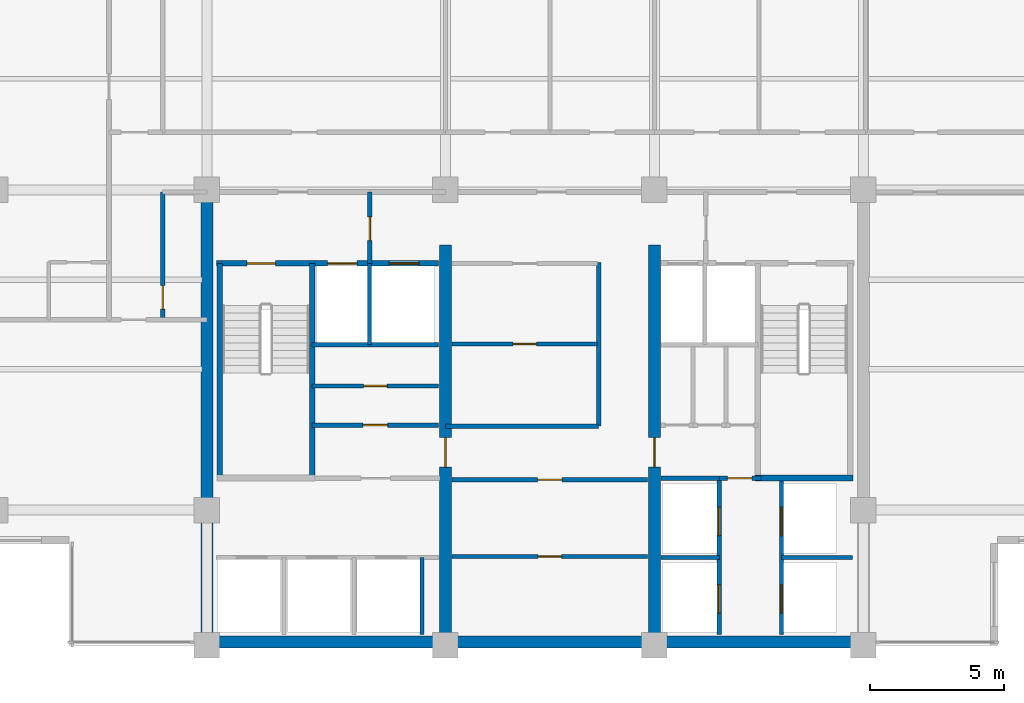
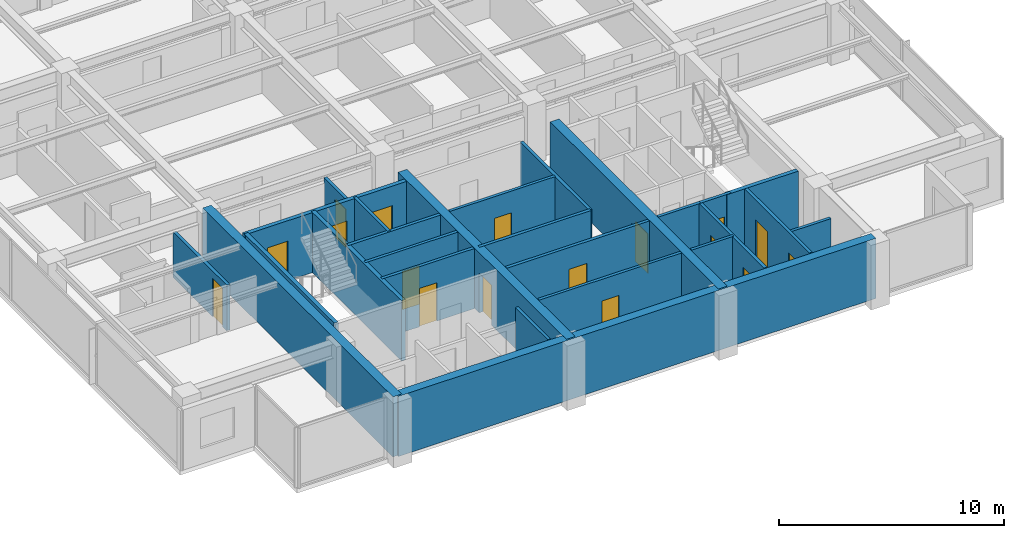
# One storey, part 7 of 14: 26 walls, 17 doors, 17 openings.
"""IFC4 building model written with IfcOpenShell, lengths in metres."""

import ifcopenshell
import ifcopenshell.guid

model = None  # the IFC model being written
_history = None  # IfcOwnerHistory: only IFC2X3 demands one
_inside = {}  # id of a spatial element -> (the spatial element, [elements in it])
_under = {}  # id of a project, library or spatial element -> (it, [spatial elements below it])
_declared = {}  # id of a project -> (the project, [libraries it declares])
_typed = {}  # id of a type object -> (the type object, [elements of that type])
_made_of = {}  # id of a material, layer set ... -> (it, [elements and type objects made of it])


def new_model(schema):
    """Start an empty IFC model of exactly this schema.

    Asked for "IFC4X3", IfcOpenShell would pick the latest addendum, in which some entities
    have other attributes; the version numbers below select the first issue.
    IFC2X3 requires an IfcOwnerHistory on every rooted entity: one is made here for all.
    """
    global model, _history
    if schema == "IFC4X3":
        model = ifcopenshell.file(schema_version=(4, 3, 0, 0))
    else:
        model = ifcopenshell.file(schema=schema)
    _inside.clear()
    _under.clear()
    _declared.clear()
    _typed.clear()
    _made_of.clear()
    _history = None
    if model.schema == "IFC2X3":
        org = make("IfcOrganization", Name="unknown")
        user = make(
            "IfcPersonAndOrganization",
            ThePerson=make("IfcPerson", FamilyName="unknown"),
            TheOrganization=org,
        )
        app = make(
            "IfcApplication",
            ApplicationDeveloper=org,
            Version="unknown",
            ApplicationFullName="unknown",
            ApplicationIdentifier="unknown",
        )
        _history = make(
            "IfcOwnerHistory",
            OwningUser=user,
            OwningApplication=app,
            ChangeAction="ADDED",
            CreationDate=0,
        )
    return model


def make(cls, **values):
    """One entity of the class cls with the attributes given. An attribute that is None is left unset."""
    return model.create_entity(
        cls, **{name: value for name, value in values.items() if value is not None}
    )


def rooted(cls, **values):
    """An entity with a GlobalId (a new one), such as an element, a storey or a relation."""
    return make(cls, GlobalId=ifcopenshell.guid.new(), OwnerHistory=_history, **values)


def si_unit(unit_type, name, prefix=None):
    """IfcSIUnit, for example si_unit("LENGTHUNIT", "METRE", prefix="MILLI")."""
    return make("IfcSIUnit", UnitType=unit_type, Prefix=prefix, Name=name)


def assignment(units):
    """IfcUnitAssignment: the units of a project."""
    return None if units is None else make("IfcUnitAssignment", Units=units)


def point(xyz):
    """IfcCartesianPoint."""
    return None if xyz is None else make("IfcCartesianPoint", Coordinates=xyz)


def direction(xyz):
    """IfcDirection."""
    return None if xyz is None else make("IfcDirection", DirectionRatios=xyz)


def frame(location, z_axis=None, x_axis=None):
    """IfcAxis2Placement3D, a coordinate frame: its origin and axes. An axis left out is left unset."""
    return make(
        "IfcAxis2Placement3D",
        Location=point(location),
        Axis=direction(z_axis),
        RefDirection=direction(x_axis),
    )


def frame_2d(location, x_axis=None):
    """IfcAxis2Placement2D, a coordinate frame in the plane: its origin and x axis."""
    return make(
        "IfcAxis2Placement2D", Location=point(location), RefDirection=direction(x_axis)
    )


def origin():
    """The frame at (0, 0, 0) with its axes left unset."""
    return frame((0.0, 0.0, 0.0))


def place(relative_to, where):
    """IfcLocalPlacement: puts the frame where relative to a parent placement (None: the world)."""
    return make(
        "IfcLocalPlacement", PlacementRelTo=relative_to, RelativePlacement=where
    )


def context(
    kind, dimensions, precision=None, world=None, true_north=None, identifier=None
):
    """IfcGeometricRepresentationContext, for example the 3D "Model" context."""
    return make(
        "IfcGeometricRepresentationContext",
        ContextIdentifier=identifier,
        ContextType=kind,
        CoordinateSpaceDimension=dimensions,
        Precision=precision,
        WorldCoordinateSystem=world,
        TrueNorth=true_north,
    )


def subcontext(parent, identifier, kind, view, scale=None):
    """IfcGeometricRepresentationSubContext, for example "Body" below "Model"."""
    return make(
        "IfcGeometricRepresentationSubContext",
        ContextIdentifier=identifier,
        ContextType=kind,
        ParentContext=parent,
        TargetScale=scale,
        TargetView=view,
    )


def project(units=None, contexts=None):
    """IfcProject with its units and contexts."""
    return rooted(
        "IfcProject",
        Name="project",
        RepresentationContexts=contexts,
        UnitsInContext=assignment(units),
    )


def spatial(cls, under=None, at=None, **own):
    """A site, building, storey or space (cls), placed at a placement, below another one or the project."""
    s = rooted(cls, ObjectPlacement=at, **own)
    if under is not None:
        _under.setdefault(under.id(), (under, []))[1].append(s)
    return s


def profile(cls, at=None, kind="AREA", **sizes):
    """A parametric profile (cls). Its sizes go by their IFC names, for example OverallWidth=200.0."""
    return make(cls, ProfileType=kind, Position=at, **sizes)


def rectangle(**sizes):
    """IfcRectangleProfileDef."""
    return profile("IfcRectangleProfileDef", **sizes)


def extrude(swept, where, along, depth):
    """IfcExtrudedAreaSolid: the profile swept, set in the frame where, extruded along a direction by depth."""
    return make(
        "IfcExtrudedAreaSolid",
        SweptArea=swept,
        Position=where,
        ExtrudedDirection=direction(along),
        Depth=depth,
    )


def shape(context_of_items, identifier, shape_type, items):
    """IfcShapeRepresentation: the items that make up one representation, for example the "Body"."""
    return make(
        "IfcShapeRepresentation",
        ContextOfItems=context_of_items,
        RepresentationIdentifier=identifier,
        RepresentationType=shape_type,
        Items=items,
    )


def material(Name=None, Category=None):
    """IfcMaterial."""
    return make("IfcMaterial", Name=Name, Category=Category)


def layer(
    of_material, thickness, ventilated=None, Name=None, Category=None, Priority=None
):
    """IfcMaterialLayer: one layer of a wall or slab, of a material (None: an air gap)."""
    return make(
        "IfcMaterialLayer",
        Material=of_material,
        LayerThickness=thickness,
        IsVentilated=ventilated,
        Name=Name,
        Category=Category,
        Priority=Priority,
    )


def layer_set(layers, Name=None):
    """IfcMaterialLayerSet."""
    return make("IfcMaterialLayerSet", MaterialLayers=layers, LayerSetName=Name)


def made_of(thing, what):
    """Note that an element or type object is made of a material, layer set ...; save() writes the relation."""
    if what is not None:
        _made_of.setdefault(what.id(), (what, []))[1].append(thing)
    return thing


def type_object(cls, material=None, **own):
    """A type object (cls), such as IfcWallType, which elements share."""
    return made_of(rooted(cls, **own), material)


def element(
    cls,
    number,
    at=None,
    inside=None,
    cuts=None,
    type_object=None,
    material=None,
    context=None,
    identifier="Body",
    shape_type=None,
    held_by="IfcProductDefinitionShape",
    body=None,
    shapes=None,
    **own,
):
    """One element of the class cls, such as IfcWall. Its Tag is "e" and its number.

    at: its placement. inside: the storey or other place that contains it. cuts: it is an
    opening in that element (IfcRelVoidsElement). A single representation is given by context,
    identifier, shape_type and body (its items); several are given by shapes. held_by: the class
    of the entity that holds the representations. save() writes the other relations.
    """
    e = rooted(cls, Tag="e%d" % number, ObjectPlacement=at, **own)
    if body is not None:
        shapes = [shape(context, identifier, shape_type, body)]
    if shapes is not None:
        e.Representation = make(held_by, Representations=shapes)
    if inside is not None:
        _inside.setdefault(inside.id(), (inside, []))[1].append(e)
    if cuts is not None:
        rooted(
            "IfcRelVoidsElement", RelatingBuildingElement=cuts, RelatedOpeningElement=e
        )
    if type_object is not None:
        _typed.setdefault(type_object.id(), (type_object, []))[1].append(e)
    return made_of(e, material)


def fill(opening, filler):
    """IfcRelFillsElement: the door or window that sits in an opening."""
    return rooted(
        "IfcRelFillsElement",
        RelatingOpeningElement=opening,
        RelatedBuildingElement=filler,
    )


def aggregate(whole, parts):
    """IfcRelAggregates: a whole, such as a stair, and the parts it consists of."""
    return rooted("IfcRelAggregates", RelatingObject=whole, RelatedObjects=parts)


def save(model, path):
    """Write the relations noted so far, then the file.

    IfcRelAggregates (storeys below a building ...), IfcRelContainedInSpatialStructure (elements
    in a storey), IfcRelDefinesByType, IfcRelAssociatesMaterial and IfcRelDeclares: one each for
    every whole, place, type object, material and project.
    """
    for whole, parts in _under.values():
        aggregate(whole, parts)
    for where, things in _inside.values():
        rooted(
            "IfcRelContainedInSpatialStructure",
            RelatedElements=things,
            RelatingStructure=where,
        )
    for kind, things in _typed.values():
        rooted("IfcRelDefinesByType", RelatedObjects=things, RelatingType=kind)
    for what, things in _made_of.values():
        rooted("IfcRelAssociatesMaterial", RelatedObjects=things, RelatingMaterial=what)
    for by, libraries in _declared.values():
        rooted("IfcRelDeclares", RelatingContext=by, RelatedDefinitions=libraries)
    model.write(path)


model = new_model("IFC4")

# Units and contexts
model_context = context("Model", 3, precision=1e-05, world=origin(), true_north=direction((0.0, 1.0)))
body_context = subcontext(model_context, "Body", "Model", "MODEL_VIEW")
ifc_project = project(units=[si_unit("LENGTHUNIT", "METRE"), si_unit("AREAUNIT", "SQUARE_METRE"), si_unit("VOLUMEUNIT", "CUBIC_METRE"), si_unit("PLANEANGLEUNIT", "RADIAN"), si_unit("MASSUNIT", "GRAM", prefix="KILO")], contexts=[model_context])

# Site, building, storey
site_placement = place(None, origin())
site = spatial("IfcSite", under=ifc_project, at=site_placement, CompositionType="ELEMENT")
building_placement = place(site_placement, origin())
building = spatial("IfcBuilding", under=site, at=building_placement, Name="Qalmaran Belvedere Hotel", CompositionType="ELEMENT")
storey_placement = place(building_placement, frame((0.0, 0.0, 217.89990234375)))
storey = spatial("IfcBuildingStorey", under=building, at=storey_placement, Name="L55", CompositionType="ELEMENT", Elevation=217.89990234375)

# Wall
ifc_material_1 = material(Name="Concrete C50/60", Category="concrete")
ifc_layer_1 = layer(ifc_material_1, 0.449951171875, Name="Concrete C50/60")
ifc_layer_set_1 = layer_set([ifc_layer_1], Name="Concrete C50/60")
wall_type_1 = type_object("IfcWallType", Name="WL-CORE-450-C50", PredefinedType="SHEAR", material=ifc_layer_set_1)
wall_1_placement = place(storey_placement, frame((20.300048828125, 3.5, 0.0), z_axis=(0.0, 0.0, 1.0), x_axis=(0.0, 1.0, 0.0)))
element("IfcWall", 1, at=wall_1_placement, inside=storey, type_object=wall_type_1, Name="L55 West Core Shear Wall", PredefinedType="SHEAR", context=body_context, shape_type="SweptSolid", body=[
    extrude(rectangle(XDim=16.89990234375, YDim=0.449951171875, at=frame_2d((8.449951171875, 0.0))), origin(), (0.0, 0.0, 1.0), 3.260009765625),
])

# Wall, opening, door
wall_2_placement = place(storey_placement, frame((29.199951171875, 3.5, 0.0), z_axis=(0.0, 0.0, 1.0), x_axis=(0.0, 1.0, 0.0)))
wall_2 = element("IfcWall", 2, at=wall_2_placement, inside=storey, type_object=wall_type_1, Name="L55 Core West Spine Shear Wall", PredefinedType="SHEAR", context=body_context, shape_type="SweptSolid", body=[
    extrude(rectangle(XDim=14.949951171875, YDim=0.449951171875, at=frame_2d((7.47509765625, 0.0))), origin(), (0.0, 0.0, 1.0), 3.260009765625),
])
opening_1_placement = place(wall_2_placement, frame((7.75, 0.0, 0.0), z_axis=(0.0, 0.0, 1.0), x_axis=(-1.0, 0.0, 0.0)))
opening_1 = element("IfcOpeningElement", 3, at=opening_1_placement, cuts=wall_2, Name="Opening FD90", PredefinedType="OPENING", context=body_context, shape_type="SweptSolid", body=[
    extrude(rectangle(XDim=1.10009765625, YDim=2.14990234375, at=frame_2d((0.550048828125, 1.074951171875))), frame((0.0, 0.23486328125, 0.0), z_axis=(0.0, -1.0, 0.0), x_axis=(1.0, 0.0, 0.0)), (0.0, 0.0, 1.0), 0.469970703125),
])
ifc_material_2 = material(Name="Steel S355JR", Category="steel")
door_type_1 = type_object("IfcDoorType", Name="DR-FD90-1100X2150", OperationType="NOTDEFINED", PredefinedType="DOOR", material=ifc_material_2)
door_1_placement = place(opening_1_placement, origin())
door_1 = element("IfcDoor", 4, at=door_1_placement, inside=storey, type_object=door_type_1, Name="L55 Core West Cross-Lobby Door", OperationType="SINGLE_SWING_RIGHT", OverallHeight=2.14990234375, OverallWidth=1.10009765625, PredefinedType="DOOR", context=body_context, shape_type="SweptSolid", body=[
    extrude(rectangle(XDim=1.10009765625, YDim=2.14990234375, at=frame_2d((0.550048828125, 1.074951171875))), frame((0.0, 0.02490234375, 0.0), z_axis=(0.0, -1.0, 0.0), x_axis=(1.0, 0.0, 0.0)), (0.0, 0.0, 1.0), 0.050048828125),
])
fill(opening_1, door_1)

wall_3_placement = place(storey_placement, frame((37.0, 3.5, 0.0), z_axis=(0.0, 0.0, 1.0), x_axis=(0.0, 1.0, 0.0)))
wall_3 = element("IfcWall", 5, at=wall_3_placement, inside=storey, type_object=wall_type_1, Name="L55 Core East Spine Shear Wall", PredefinedType="SHEAR", context=body_context, shape_type="SweptSolid", body=[
    extrude(rectangle(XDim=14.949951171875, YDim=0.449951171875, at=frame_2d((7.47509765625, 0.0))), origin(), (0.0, 0.0, 1.0), 3.260009765625),
])
opening_2_placement = place(wall_3_placement, frame((6.64990234375, 0.0, 0.0)))
opening_2 = element("IfcOpeningElement", 6, at=opening_2_placement, cuts=wall_3, Name="Opening FD90", PredefinedType="OPENING", context=body_context, shape_type="SweptSolid", body=[
    extrude(rectangle(XDim=1.10009765625, YDim=2.14990234375, at=frame_2d((0.550048828125, 1.074951171875))), frame((0.0, 0.23486328125, 0.0), z_axis=(0.0, -1.0, 0.0), x_axis=(1.0, 0.0, 0.0)), (0.0, 0.0, 1.0), 0.469970703125),
])
door_2_placement = place(opening_2_placement, origin())
door_2 = element("IfcDoor", 7, at=door_2_placement, inside=storey, type_object=door_type_1, Name="L55 Core East Cross-Lobby Door", OperationType="SINGLE_SWING_LEFT", OverallHeight=2.14990234375, OverallWidth=1.10009765625, PredefinedType="DOOR", context=body_context, shape_type="SweptSolid", body=[
    extrude(rectangle(XDim=1.10009765625, YDim=2.14990234375, at=frame_2d((0.550048828125, 1.074951171875))), frame((0.0, 0.02490234375, 0.0), z_axis=(0.0, -1.0, 0.0), x_axis=(1.0, 0.0, 0.0)), (0.0, 0.0, 1.0), 0.050048828125),
])
fill(opening_2, door_2)

# Walls
ifc_layer_2 = layer(ifc_material_1, 0.43994140625, Name="Concrete C50/60")
ifc_layer_set_2 = layer_set([ifc_layer_2], Name="Concrete C50/60")
wall_type_2 = type_object("IfcWallType", Name="WL-CORES-440-EXT", PredefinedType="SHEAR", material=ifc_layer_set_2)
wall_4_placement = place(storey_placement, frame((20.300048828125, 3.6298828125, 0.0), z_axis=(0.0, 0.0, 1.0), x_axis=(1.0, 0.0, 0.0)))
element("IfcWall", 8, at=wall_4_placement, inside=storey, type_object=wall_type_2, Name="L55 South Core Shear Wall", PredefinedType="SHEAR", context=body_context, shape_type="SweptSolid", body=[
    extrude(rectangle(XDim=24.5, YDim=0.43994140625, at=frame_2d((12.25, 0.0))), origin(), (0.0, 0.0, 1.0), 3.260009765625),
])
ifc_material_3 = material(Name="Gypsum Stud Partition")
ifc_layer_3 = layer(ifc_material_3, 0.14990234375, Name="Gypsum Stud Partition")
ifc_layer_set_3 = layer_set([ifc_layer_3], Name="Gypsum Stud Partition")
wall_type_3 = type_object("IfcWallType", Name="WL-INT-150-EI120", PredefinedType="PARTITIONING", material=ifc_layer_set_3)
wall_5_placement = place(storey_placement, frame((26.360107421875, 14.719970703125, 0.0), z_axis=(0.0, 0.0, 1.0), x_axis=(0.0, 1.0, 0.0)))
element("IfcWall", 9, at=wall_5_placement, inside=storey, type_object=wall_type_3, Name="L55 Partition WL-FF1M-L55", PredefinedType="PARTITIONING", context=body_context, shape_type="SweptSolid", body=[
    extrude(rectangle(XDim=3.0400390625, YDim=0.14990234375, at=frame_2d((1.52001953125, 0.0))), origin(), (0.0, 0.0, 1.0), 3.260009765625),
])
wall_6_placement = place(storey_placement, frame((28.320068359375, 3.89990234375, 0.0), z_axis=(0.0, 0.0, 1.0), x_axis=(0.0, 1.0, 0.0)))
element("IfcWall", 10, at=wall_6_placement, inside=storey, type_object=wall_type_3, Name="L55 Partition WL-POM3-L55", PredefinedType="PARTITIONING", context=body_context, shape_type="SweptSolid", body=[
    extrude(rectangle(XDim=2.880126953125, YDim=0.14990234375, at=frame_2d((1.43994140625, 0.0))), origin(), (0.0, 0.0, 1.0), 3.260009765625),
])
wall_7_placement = place(storey_placement, frame((37.25, 6.780029296875, 0.0), z_axis=(0.0, 0.0, 1.0), x_axis=(1.0, 0.0, 0.0)))
element("IfcWall", 11, at=wall_7_placement, inside=storey, type_object=wall_type_3, Name="L55 Partition WL-PHMW-L55", PredefinedType="PARTITIONING", context=body_context, shape_type="SweptSolid", body=[
    extrude(rectangle(XDim=2.169921875, YDim=0.14990234375, at=frame_2d((1.0849609375, 0.0))), origin(), (0.0, 0.0, 1.0), 3.260009765625),
])
wall_8_placement = place(storey_placement, frame((41.739990234375, 6.780029296875, 0.0), z_axis=(0.0, 0.0, 1.0), x_axis=(1.0, 0.0, 0.0)))
element("IfcWall", 12, at=wall_8_placement, inside=storey, type_object=wall_type_3, Name="L55 Partition WL-PHME-L55", PredefinedType="PARTITIONING", context=body_context, shape_type="SweptSolid", body=[
    extrude(rectangle(XDim=2.659912109375, YDim=0.14990234375, at=frame_2d((1.330078125, 0.0))), origin(), (0.0, 0.0, 1.0), 2.47216796875),
])

# Wall, opening, door
ifc_layer_4 = layer(ifc_material_3, 0.14990234375, Name="Gypsum Stud Partition")
ifc_layer_set_4 = layer_set([ifc_layer_4], Name="Gypsum Stud Partition")
wall_type_4 = type_object("IfcWallType", Name="WL-INT-150-EI60", PredefinedType="PARTITIONING", material=ifc_layer_set_4)
wall_9_placement = place(storey_placement, frame((24.219970703125, 13.18505859375, 0.0), z_axis=(0.0, 0.0, 1.0), x_axis=(1.0, 0.0, 0.0)))
wall_9 = element("IfcWall", 13, at=wall_9_placement, inside=storey, type_object=wall_type_4, Name="L55 Partition WL-L55-KWHM", PredefinedType="PARTITIONING", context=body_context, shape_type="SweptSolid", body=[
    extrude(rectangle(XDim=4.72998046875, YDim=0.14990234375, at=frame_2d((2.364990234375, 0.0))), origin(), (0.0, 0.0, 1.0), 3.260009765625),
])
opening_3_placement = place(wall_9_placement, frame((1.925048828125, 0.0, 0.0)))
opening_3 = element("IfcOpeningElement", 14, at=opening_3_placement, cuts=wall_9, Name="Opening FD60B", PredefinedType="OPENING", context=body_context, shape_type="SweptSolid", body=[
    extrude(rectangle(XDim=0.8798828125, YDim=2.080078125, at=frame_2d((0.43994140625, 1.0400390625))), frame((0.0, 0.0849609375, 0.0), z_axis=(0.0, -1.0, 0.0), x_axis=(1.0, 0.0, 0.0)), (0.0, 0.0, 1.0), 0.169921875),
])
door_type_2 = type_object("IfcDoorType", Name="DR-FD60B-880X2080", OperationType="NOTDEFINED", PredefinedType="DOOR", material=ifc_material_2)
door_3_placement = place(opening_3_placement, origin())
door_3 = element("IfcDoor", 15, at=door_3_placement, inside=storey, type_object=door_type_2, Name="L55 Staff Core WC Door", OperationType="SINGLE_SWING_RIGHT", OverallHeight=2.080078125, OverallWidth=0.8798828125, PredefinedType="DOOR", context=body_context, shape_type="SweptSolid", body=[
    extrude(rectangle(XDim=0.8798828125, YDim=2.080078125, at=frame_2d((0.43994140625, 1.0400390625))), frame((0.0, 0.02490234375, 0.0), z_axis=(0.0, -1.0, 0.0), x_axis=(1.0, 0.0, 0.0)), (0.0, 0.0, 1.0), 0.050048828125),
])
fill(opening_3, door_3)

wall_10_placement = place(storey_placement, frame((29.449951171875, 6.81494140625, 0.0), z_axis=(0.0, 0.0, 1.0), x_axis=(1.0, 0.0, 0.0)))
wall_10 = element("IfcWall", 16, at=wall_10_placement, inside=storey, type_object=wall_type_4, Name="L55 Partition WL-L55-KPLHM", PredefinedType="PARTITIONING", context=body_context, shape_type="SweptSolid", body=[
    extrude(rectangle(XDim=7.300048828125, YDim=0.14990234375, at=frame_2d((3.64990234375, 0.0))), origin(), (0.0, 0.0, 1.0), 3.260009765625),
])
opening_4_placement = place(wall_10_placement, frame((4.08984375, 0.0, 0.0), z_axis=(0.0, 0.0, 1.0), x_axis=(-1.0, 0.0, 0.0)))
opening_4 = element("IfcOpeningElement", 17, at=opening_4_placement, cuts=wall_10, Name="Opening FD60B", PredefinedType="OPENING", context=body_context, shape_type="SweptSolid", body=[
    extrude(rectangle(XDim=0.8798828125, YDim=2.080078125, at=frame_2d((0.43994140625, 1.0400390625))), frame((0.0, 0.0849609375, 0.0), z_axis=(0.0, -1.0, 0.0), x_axis=(1.0, 0.0, 0.0)), (0.0, 0.0, 1.0), 0.169921875),
])
door_4_placement = place(opening_4_placement, origin())
door_4 = element("IfcDoor", 18, at=door_4_placement, inside=storey, type_object=door_type_2, Name="L55 Housekeeping and Linen Room Door", OperationType="SINGLE_SWING_LEFT", OverallHeight=2.080078125, OverallWidth=0.8798828125, PredefinedType="DOOR", context=body_context, shape_type="SweptSolid", body=[
    extrude(rectangle(XDim=0.8798828125, YDim=2.080078125, at=frame_2d((0.43994140625, 1.0400390625))), frame((0.0, 0.02490234375, 0.0), z_axis=(0.0, -1.0, 0.0), x_axis=(1.0, 0.0, 0.0)), (0.0, 0.0, 1.0), 0.050048828125),
])
fill(opening_4, door_4)

wall_11_placement = place(storey_placement, frame((29.449951171875, 14.7451171875, 0.0), z_axis=(0.0, 0.0, 1.0), x_axis=(1.0, 0.0, 0.0)))
wall_11 = element("IfcWall", 19, at=wall_11_placement, inside=storey, type_object=wall_type_4, Name="L55 Partition WL-L55-KPMHM", PredefinedType="PARTITIONING", context=body_context, shape_type="SweptSolid", body=[
    extrude(rectangle(XDim=5.429931640625, YDim=0.14990234375, at=frame_2d((2.71484375, 0.0))), origin(), (0.0, 0.0, 1.0), 3.260009765625),
])
opening_5_placement = place(wall_11_placement, frame((3.15478515625, 0.0, 0.0), z_axis=(0.0, 0.0, 1.0), x_axis=(-1.0, 0.0, 0.0)))
opening_5 = element("IfcOpeningElement", 20, at=opening_5_placement, cuts=wall_11, Name="Opening FD60B", PredefinedType="OPENING", context=body_context, shape_type="SweptSolid", body=[
    extrude(rectangle(XDim=0.8798828125, YDim=2.080078125, at=frame_2d((0.43994140625, 1.0400390625))), frame((0.0, 0.0849609375, 0.0), z_axis=(0.0, -1.0, 0.0), x_axis=(1.0, 0.0, 0.0)), (0.0, 0.0, 1.0), 0.169921875),
])
door_5_placement = place(opening_5_placement, origin())
door_5 = element("IfcDoor", 21, at=door_5_placement, inside=storey, type_object=door_type_2, Name="L55 Executive Butler Pantry Door", OperationType="SINGLE_SWING_LEFT", OverallHeight=2.080078125, OverallWidth=0.8798828125, PredefinedType="DOOR", context=body_context, shape_type="SweptSolid", body=[
    extrude(rectangle(XDim=0.8798828125, YDim=2.080078125, at=frame_2d((0.43994140625, 1.0400390625))), frame((0.0, 0.02490234375, 0.0), z_axis=(0.0, -1.0, 0.0), x_axis=(1.0, 0.0, 0.0)), (0.0, 0.0, 1.0), 0.050048828125),
])
fill(opening_5, door_5)

ifc_layer_5 = layer(ifc_material_3, 0.159912109375, Name="Gypsum Stud Partition")
ifc_layer_set_5 = layer_set([ifc_layer_5], Name="Gypsum Stud Partition")
wall_type_5 = type_object("IfcWallType", Name="WL-INT-160-EI120", PredefinedType="PARTITIONING", material=ifc_layer_set_5)
wall_12_placement = place(storey_placement, frame((26.3798828125, 17.760009765625, 0.0), z_axis=(0.0, 0.0, 1.0), x_axis=(0.0, 1.0, 0.0)))
wall_12 = element("IfcWall", 22, at=wall_12_placement, inside=storey, type_object=wall_type_5, Name="L55 Partition WL-FFSV1-L55", PredefinedType="PARTITIONING", context=body_context, shape_type="SweptSolid", body=[
    extrude(rectangle(XDim=2.659912109375, YDim=0.159912109375, at=frame_2d((1.330078125, 0.0))), origin(), (0.0, 0.0, 1.0), 2.7060546875),
])
opening_6_placement = place(wall_12_placement, frame((0.85009765625, 0.0, 0.0)))
opening_6 = element("IfcOpeningElement", 23, at=opening_6_placement, cuts=wall_12, Name="Opening FD60B", PredefinedType="OPENING", context=body_context, shape_type="SweptSolid", body=[
    extrude(rectangle(XDim=0.8798828125, YDim=2.080078125, at=frame_2d((0.43994140625, 1.0400390625))), frame((0.0, 0.08984375, 0.0), z_axis=(0.0, -1.0, 0.0), x_axis=(1.0, 0.0, 0.0)), (0.0, 0.0, 1.0), 0.179931640625),
])
door_6_placement = place(opening_6_placement, origin())
door_6 = element("IfcDoor", 24, at=door_6_placement, inside=storey, type_object=door_type_2, Name="L55 Service Lobby West Door", OperationType="SINGLE_SWING_RIGHT", OverallHeight=2.080078125, OverallWidth=0.8798828125, PredefinedType="DOOR", context=body_context, shape_type="SweptSolid", body=[
    extrude(rectangle(XDim=0.8798828125, YDim=2.080078125, at=frame_2d((0.43994140625, 1.0400390625))), frame((0.0, 0.02490234375, 0.0), z_axis=(0.0, -1.0, 0.0), x_axis=(1.0, 0.0, 0.0)), (0.0, 0.0, 1.0), 0.050048828125),
])
fill(opening_6, door_6)

# Wall
wall_13_placement = place(storey_placement, frame((24.219970703125, 14.719970703125, 0.0), z_axis=(0.0, 0.0, 1.0), x_axis=(1.0, 0.0, 0.0)))
element("IfcWall", 25, at=wall_13_placement, inside=storey, type_object=wall_type_5, Name="L55 Partition WL-FF1S-L55", PredefinedType="PARTITIONING", context=body_context, shape_type="SweptSolid", body=[
    extrude(rectangle(XDim=4.72998046875, YDim=0.159912109375, at=frame_2d((2.364990234375, 0.0))), origin(), (0.0, 0.0, 1.0), 3.260009765625),
])

# Wall, openings, doors
wall_14_placement = place(storey_placement, frame((39.419921875, 3.89990234375, 0.0), z_axis=(0.0, 0.0, 1.0), x_axis=(0.0, 1.0, 0.0)))
wall_14 = element("IfcWall", 26, at=wall_14_placement, inside=storey, type_object=wall_type_5, Name="L55 Partition WL-PHW-L55", PredefinedType="PARTITIONING", context=body_context, shape_type="SweptSolid", body=[
    extrude(rectangle(XDim=5.840087890625, YDim=0.159912109375, at=frame_2d((2.919921875, 0.0))), origin(), (0.0, 0.0, 1.0), 3.260009765625),
])
opening_7_placement = place(wall_14_placement, frame((1.860107421875, 0.0, 0.0), z_axis=(0.0, 0.0, 1.0), x_axis=(-1.0, 0.0, 0.0)))
opening_7 = element("IfcOpeningElement", 27, at=opening_7_placement, cuts=wall_14, Name="Opening LD-P2", PredefinedType="OPENING", context=body_context, shape_type="SweptSolid", body=[
    extrude(rectangle(XDim=1.06005859375, YDim=2.159912109375, at=frame_2d((0.530029296875, 1.080078125))), frame((0.0, 0.08984375, 0.0), z_axis=(0.0, -1.0, 0.0), x_axis=(1.0, 0.0, 0.0)), (0.0, 0.0, 1.0), 0.179931640625),
])
opening_8_placement = place(wall_14_placement, frame((4.760009765625, 0.0, 0.0), z_axis=(0.0, 0.0, 1.0), x_axis=(-1.0, 0.0, 0.0)))
opening_8 = element("IfcOpeningElement", 28, at=opening_8_placement, cuts=wall_14, Name="Opening LD-P2", PredefinedType="OPENING", context=body_context, shape_type="SweptSolid", body=[
    extrude(rectangle(XDim=1.06005859375, YDim=2.159912109375, at=frame_2d((0.530029296875, 1.080078125))), frame((0.0, 0.08984375, 0.0), z_axis=(0.0, -1.0, 0.0), x_axis=(1.0, 0.0, 0.0)), (0.0, 0.0, 1.0), 0.179931640625),
])
ifc_material_4 = material(Name="Stainless Steel 1.4401", Category="steel")
door_type_3 = type_object("IfcDoorType", Name="DR-LIFT-P2-1060X2160", OperationType="DOUBLE_DOOR_SLIDING", PredefinedType="DOOR", material=ifc_material_4)
door_7_placement = place(opening_7_placement, origin())
door_7 = element("IfcDoor", 29, at=door_7_placement, inside=storey, type_object=door_type_3, Name="L55 PH1 Lift Landing Door", OperationType="DOUBLE_DOOR_SLIDING", OverallHeight=2.159912109375, OverallWidth=1.06005859375, PredefinedType="DOOR", context=body_context, shape_type="SweptSolid", body=[
    extrude(rectangle(XDim=1.06005859375, YDim=2.159912109375, at=frame_2d((0.530029296875, 1.080078125))), frame((0.0, 0.02490234375, 0.0), z_axis=(0.0, -1.0, 0.0), x_axis=(1.0, 0.0, 0.0)), (0.0, 0.0, 1.0), 0.050048828125),
])
fill(opening_7, door_7)
door_8_placement = place(opening_8_placement, origin())
door_8 = element("IfcDoor", 30, at=door_8_placement, inside=storey, type_object=door_type_3, Name="L55 PH2 Lift Landing Door", OperationType="DOUBLE_DOOR_SLIDING", OverallHeight=2.159912109375, OverallWidth=1.06005859375, PredefinedType="DOOR", context=body_context, shape_type="SweptSolid", body=[
    extrude(rectangle(XDim=1.06005859375, YDim=2.159912109375, at=frame_2d((0.530029296875, 1.080078125))), frame((0.0, 0.02490234375, 0.0), z_axis=(0.0, -1.0, 0.0), x_axis=(1.0, 0.0, 0.0)), (0.0, 0.0, 1.0), 0.050048828125),
])
fill(opening_8, door_8)

wall_15_placement = place(storey_placement, frame((41.739990234375, 3.89990234375, 0.0), z_axis=(0.0, 0.0, 1.0), x_axis=(0.0, 1.0, 0.0)))
wall_15 = element("IfcWall", 31, at=wall_15_placement, inside=storey, type_object=wall_type_5, Name="L55 Partition WL-PHE-L55", PredefinedType="PARTITIONING", context=body_context, shape_type="SweptSolid", body=[
    extrude(rectangle(XDim=5.840087890625, YDim=0.159912109375, at=frame_2d((2.919921875, 0.0))), origin(), (0.0, 0.0, 1.0), 3.260009765625),
])
opening_9_placement = place(wall_15_placement, frame((0.800048828125, 0.0, 0.0)))
opening_9 = element("IfcOpeningElement", 32, at=opening_9_placement, cuts=wall_15, Name="Opening LD-P2", PredefinedType="OPENING", context=body_context, shape_type="SweptSolid", body=[
    extrude(rectangle(XDim=1.06005859375, YDim=2.159912109375, at=frame_2d((0.530029296875, 1.080078125))), frame((0.0, 0.08984375, 0.0), z_axis=(0.0, -1.0, 0.0), x_axis=(1.0, 0.0, 0.0)), (0.0, 0.0, 1.0), 0.179931640625),
])
opening_10_placement = place(wall_15_placement, frame((3.699951171875, 0.0, 0.0)))
opening_10 = element("IfcOpeningElement", 33, at=opening_10_placement, cuts=wall_15, Name="Opening LD-P2", PredefinedType="OPENING", context=body_context, shape_type="SweptSolid", body=[
    extrude(rectangle(XDim=1.06005859375, YDim=2.159912109375, at=frame_2d((0.530029296875, 1.080078125))), frame((0.0, 0.08984375, 0.0), z_axis=(0.0, -1.0, 0.0), x_axis=(1.0, 0.0, 0.0)), (0.0, 0.0, 1.0), 0.179931640625),
])
door_9_placement = place(opening_9_placement, origin())
door_9 = element("IfcDoor", 34, at=door_9_placement, inside=storey, type_object=door_type_3, Name="L55 PH3 Lift Landing Door", OperationType="DOUBLE_DOOR_SLIDING", OverallHeight=2.159912109375, OverallWidth=1.06005859375, PredefinedType="DOOR", context=body_context, shape_type="SweptSolid", body=[
    extrude(rectangle(XDim=1.06005859375, YDim=2.159912109375, at=frame_2d((0.530029296875, 1.080078125))), frame((0.0, 0.02490234375, 0.0), z_axis=(0.0, -1.0, 0.0), x_axis=(1.0, 0.0, 0.0)), (0.0, 0.0, 1.0), 0.050048828125),
])
fill(opening_9, door_9)
door_10_placement = place(opening_10_placement, origin())
door_10 = element("IfcDoor", 35, at=door_10_placement, inside=storey, type_object=door_type_3, Name="L55 PH4 Lift Landing Door", OperationType="DOUBLE_DOOR_SLIDING", OverallHeight=2.159912109375, OverallWidth=1.06005859375, PredefinedType="DOOR", context=body_context, shape_type="SweptSolid", body=[
    extrude(rectangle(XDim=1.06005859375, YDim=2.159912109375, at=frame_2d((0.530029296875, 1.080078125))), frame((0.0, 0.02490234375, 0.0), z_axis=(0.0, -1.0, 0.0), x_axis=(1.0, 0.0, 0.0)), (0.0, 0.0, 1.0), 0.050048828125),
])
fill(opening_10, door_10)

# Wall
wall_16_placement = place(storey_placement, frame((37.25, 9.739990234375, 0.0), z_axis=(0.0, 0.0, 1.0), x_axis=(1.0, 0.0, 0.0)))
element("IfcWall", 36, at=wall_16_placement, inside=storey, type_object=wall_type_5, Name="L55 Partition WL-PHNW-L55", PredefinedType="PARTITIONING", context=body_context, shape_type="SweptSolid", body=[
    extrude(rectangle(XDim=2.169921875, YDim=0.159912109375, at=frame_2d((1.0849609375, 0.0))), origin(), (0.0, 0.0, 1.0), 3.260009765625),
])

# Wall, opening, door
wall_17_placement = place(storey_placement, frame((39.419921875, 9.739990234375, 0.0), z_axis=(0.0, 0.0, 1.0), x_axis=(1.0, 0.0, 0.0)))
wall_17 = element("IfcWall", 37, at=wall_17_placement, inside=storey, type_object=wall_type_5, Name="L55 Partition WL-PHNL-L55", PredefinedType="PARTITIONING", context=body_context, shape_type="SweptSolid", body=[
    extrude(rectangle(XDim=1.56005859375, YDim=0.159912109375, at=frame_2d((0.780029296875, 0.0))), origin(), (0.0, 0.0, 1.0), 3.260009765625),
])
opening_11_placement = place(wall_17_placement, frame((0.300048828125, 0.0, 0.0)))
opening_11 = element("IfcOpeningElement", 38, at=opening_11_placement, cuts=wall_17, Name="Opening FD60S1", PredefinedType="OPENING", context=body_context, shape_type="SweptSolid", body=[
    extrude(rectangle(XDim=0.919921875, YDim=2.080078125, at=frame_2d((0.4599609375, 1.0400390625))), frame((0.0, 0.08984375, 0.0), z_axis=(0.0, -1.0, 0.0), x_axis=(1.0, 0.0, 0.0)), (0.0, 0.0, 1.0), 0.179931640625),
])
ifc_material_5 = material(Name="Engineered Oak Veneer")
door_type_4 = type_object("IfcDoorType", Name="DR-FD60S-920X2080", OperationType="NOTDEFINED", PredefinedType="DOOR", material=ifc_material_5)
door_11_placement = place(opening_11_placement, origin())
door_11 = element("IfcDoor", 39, at=door_11_placement, inside=storey, type_object=door_type_4, Name="L55 High-Rise Lift Lobby Passage Door", OperationType="SINGLE_SWING_LEFT", OverallHeight=2.080078125, OverallWidth=0.919921875, PredefinedType="DOOR", context=body_context, shape_type="SweptSolid", body=[
    extrude(rectangle(XDim=0.919921875, YDim=2.080078125, at=frame_2d((0.4599609375, 1.0400390625))), frame((0.0, 0.02490234375, 0.0), z_axis=(0.0, -1.0, 0.0), x_axis=(1.0, 0.0, 0.0)), (0.0, 0.0, 1.0), 0.050048828125),
])
fill(opening_11, door_11)

ifc_layer_6 = layer(ifc_material_3, 0.159912109375, Name="Gypsum Stud Partition")
ifc_layer_set_6 = layer_set([ifc_layer_6], Name="Gypsum Stud Partition")
wall_type_6 = type_object("IfcWallType", Name="WL-INT-160-EI60", PredefinedType="PARTITIONING", material=ifc_layer_set_6)
wall_18_placement = place(storey_placement, frame((24.219970703125, 11.719970703125, 0.0), z_axis=(0.0, 0.0, 1.0), x_axis=(1.0, 0.0, 0.0)))
wall_18 = element("IfcWall", 40, at=wall_18_placement, inside=storey, type_object=wall_type_6, Name="L55 Partition WL-L55-KWE1", PredefinedType="PARTITIONING", context=body_context, shape_type="SweptSolid", body=[
    extrude(rectangle(XDim=4.72998046875, YDim=0.159912109375, at=frame_2d((2.364990234375, 0.0))), origin(), (0.0, 0.0, 1.0), 3.260009765625),
])
opening_12_placement = place(wall_18_placement, frame((1.905029296875, 0.0, 0.0)))
opening_12 = element("IfcOpeningElement", 41, at=opening_12_placement, cuts=wall_18, Name="Opening FD60S1", PredefinedType="OPENING", context=body_context, shape_type="SweptSolid", body=[
    extrude(rectangle(XDim=0.919921875, YDim=2.080078125, at=frame_2d((0.4599609375, 1.0400390625))), frame((0.0, 0.08984375, 0.0), z_axis=(0.0, -1.0, 0.0), x_axis=(1.0, 0.0, 0.0)), (0.0, 0.0, 1.0), 0.179931640625),
])
door_12_placement = place(opening_12_placement, origin())
door_12 = element("IfcDoor", 42, at=door_12_placement, inside=storey, type_object=door_type_4, Name="L55 Cleaner Supply Store Door", OperationType="SINGLE_SWING_LEFT", OverallHeight=2.080078125, OverallWidth=0.919921875, PredefinedType="DOOR", context=body_context, shape_type="SweptSolid", body=[
    extrude(rectangle(XDim=0.919921875, YDim=2.080078125, at=frame_2d((0.4599609375, 1.0400390625))), frame((0.0, 0.02490234375, 0.0), z_axis=(0.0, -1.0, 0.0), x_axis=(1.0, 0.0, 0.0)), (0.0, 0.0, 1.0), 0.050048828125),
])
fill(opening_12, door_12)

# Wall
wall_19_placement = place(storey_placement, frame((34.919921875, 11.679931640625, 0.0), z_axis=(0.0, 0.0, 1.0), x_axis=(0.0, 1.0, 0.0)))
element("IfcWall", 43, at=wall_19_placement, inside=storey, type_object=wall_type_6, Name="L55 Partition WL-CLLV-L55", PredefinedType="PARTITIONING", context=body_context, shape_type="SweptSolid", body=[
    extrude(rectangle(XDim=6.10009765625, YDim=0.159912109375, at=frame_2d((3.050048828125, 0.0))), origin(), (0.0, 0.0, 1.0), 3.260009765625),
])

# Wall, opening, door
wall_20_placement = place(storey_placement, frame((29.449951171875, 9.679931640625, 0.0), z_axis=(0.0, 0.0, 1.0), x_axis=(1.0, 0.0, 0.0)))
wall_20 = element("IfcWall", 44, at=wall_20_placement, inside=storey, type_object=wall_type_6, Name="L55 Partition WL-L55-KPLE1", PredefinedType="PARTITIONING", context=body_context, shape_type="SweptSolid", body=[
    extrude(rectangle(XDim=7.300048828125, YDim=0.159912109375, at=frame_2d((3.64990234375, 0.0))), origin(), (0.0, 0.0, 1.0), 3.260009765625),
])
opening_13_placement = place(wall_20_placement, frame((4.10986328125, 0.0, 0.0), z_axis=(0.0, 0.0, 1.0), x_axis=(-1.0, 0.0, 0.0)))
opening_13 = element("IfcOpeningElement", 45, at=opening_13_placement, cuts=wall_20, Name="Opening FD60S1", PredefinedType="OPENING", context=body_context, shape_type="SweptSolid", body=[
    extrude(rectangle(XDim=0.919921875, YDim=2.080078125, at=frame_2d((0.4599609375, 1.0400390625))), frame((0.0, 0.08984375, 0.0), z_axis=(0.0, -1.0, 0.0), x_axis=(1.0, 0.0, 0.0)), (0.0, 0.0, 1.0), 0.179931640625),
])
door_13_placement = place(opening_13_placement, origin())
door_13 = element("IfcDoor", 46, at=door_13_placement, inside=storey, type_object=door_type_4, Name="L55 Guest Valet Supply Store Door", OperationType="SINGLE_SWING_RIGHT", OverallHeight=2.080078125, OverallWidth=0.919921875, PredefinedType="DOOR", context=body_context, shape_type="SweptSolid", body=[
    extrude(rectangle(XDim=0.919921875, YDim=2.080078125, at=frame_2d((0.4599609375, 1.0400390625))), frame((0.0, 0.02490234375, 0.0), z_axis=(0.0, -1.0, 0.0), x_axis=(1.0, 0.0, 0.0)), (0.0, 0.0, 1.0), 0.050048828125),
])
fill(opening_13, door_13)

# Wall
wall_21_placement = place(storey_placement, frame((29.199951171875, 11.679931640625, 0.0), z_axis=(0.0, 0.0, 1.0), x_axis=(1.0, 0.0, 0.0)))
element("IfcWall", 47, at=wall_21_placement, inside=storey, type_object=wall_type_6, Name="L55 Partition WL-PMFS-L55", PredefinedType="PARTITIONING", context=body_context, shape_type="SweptSolid", body=[
    extrude(rectangle(XDim=5.719970703125, YDim=0.159912109375, at=frame_2d((2.85986328125, 0.0))), origin(), (0.0, 0.0, 1.0), 3.260009765625),
])

# Wall, opening, door
wall_22_placement = place(storey_placement, frame((18.64990234375, 15.64990234375, 0.0), z_axis=(0.0, 0.0, 1.0), x_axis=(0.0, 1.0, 0.0)))
wall_22 = element("IfcWall", 48, at=wall_22_placement, inside=storey, type_object=wall_type_6, Name="L55 Partition WL-L55-WCL", PredefinedType="PARTITIONING", context=body_context, shape_type="SweptSolid", body=[
    extrude(rectangle(XDim=4.77001953125, YDim=0.159912109375, at=frame_2d((2.385009765625, 0.0))), origin(), (0.0, 0.0, 1.0), 2.47216796875),
])
opening_14_placement = place(wall_22_placement, frame((1.27978515625, 0.0, 0.0), z_axis=(0.0, 0.0, 1.0), x_axis=(-1.0, 0.0, 0.0)))
opening_14 = element("IfcOpeningElement", 49, at=opening_14_placement, cuts=wall_22, Name="Opening FD60B", PredefinedType="OPENING", context=body_context, shape_type="SweptSolid", body=[
    extrude(rectangle(XDim=0.8798828125, YDim=2.080078125, at=frame_2d((0.43994140625, 1.0400390625))), frame((0.0, 0.08984375, 0.0), z_axis=(0.0, -1.0, 0.0), x_axis=(1.0, 0.0, 0.0)), (0.0, 0.0, 1.0), 0.179931640625),
])
door_14_placement = place(opening_14_placement, origin())
door_14 = element("IfcDoor", 50, at=door_14_placement, inside=storey, type_object=door_type_2, Name="L55 West Closet Door", OperationType="SINGLE_SWING_LEFT", OverallHeight=2.080078125, OverallWidth=0.8798828125, PredefinedType="DOOR", context=body_context, shape_type="SweptSolid", body=[
    extrude(rectangle(XDim=0.8798828125, YDim=2.080078125, at=frame_2d((0.43994140625, 1.0400390625))), frame((0.0, 0.02490234375, 0.0), z_axis=(0.0, -1.0, 0.0), x_axis=(1.0, 0.0, 0.0)), (0.0, 0.0, 1.0), 0.050048828125),
])
fill(opening_14, door_14)

# Walls
ifc_layer_7 = layer(ifc_material_1, 0.2099609375, Name="Concrete C50/60")
ifc_layer_set_7 = layer_set([ifc_layer_7], Name="Concrete C50/60")
wall_type_7 = type_object("IfcWallType", Name="WL-STAIR-210-C50", PredefinedType="SHEAR", material=ifc_layer_set_7)
for number, where, z_axis, x_axis, name in (
    (51, (20.77490234375, 9.7451171875, 0.0), (0.0, 0.0, 1.0), (0.0, 1.0, 0.0), "L55 Stair ST-1 West Bearing Wall"),
    (52, (24.22509765625, 9.7451171875, 0.0), (0.0, 0.0, 1.0), (0.0, 1.0, 0.0), "L55 Stair ST-1 East Bearing Wall"),
):
    element("IfcWall", number, at=place(storey_placement, frame(where, z_axis=z_axis, x_axis=x_axis)), inside=storey, type_object=wall_type_7, Name=name, PredefinedType="SHEAR", context=body_context, shape_type="SweptSolid", body=[
        extrude(rectangle(XDim=8.009765625, YDim=0.2099609375, at=frame_2d((4.0048828125, 0.0))), origin(), (0.0, 0.0, 1.0), 3.260009765625),
    ])

# Wall, openings, doors
wall_23_placement = place(storey_placement, frame((20.64990234375, 17.7548828125, 0.0), z_axis=(0.0, 0.0, 1.0), x_axis=(1.0, 0.0, 0.0)))
wall_23 = element("IfcWall", 53, at=wall_23_placement, inside=storey, type_object=wall_type_7, Name="L55 West Lobby and Stair ST-1 North Bearing Wall", PredefinedType="SHEAR", context=body_context, shape_type="SweptSolid", body=[
    extrude(rectangle(XDim=8.300048828125, YDim=0.2099609375, at=frame_2d((4.14990234375, 0.0))), origin(), (0.0, 0.0, 1.0), 3.260009765625),
])
opening_15_placement = place(wall_23_placement, frame((2.199951171875, 0.0, 0.0), z_axis=(0.0, 0.0, 1.0), x_axis=(-1.0, 0.0, 0.0)))
opening_15 = element("IfcOpeningElement", 54, at=opening_15_placement, cuts=wall_23, Name="Opening FD90S2", PredefinedType="OPENING", context=body_context, shape_type="SweptSolid", body=[
    extrude(rectangle(XDim=1.050048828125, YDim=2.14990234375, at=frame_2d((0.52490234375, 1.074951171875))), frame((0.0, 0.114990234375, 0.0), z_axis=(0.0, -1.0, 0.0), x_axis=(1.0, 0.0, 0.0)), (0.0, 0.0, 1.0), 0.22998046875),
])
opening_16_placement = place(wall_23_placement, frame((4.14990234375, 0.0, 0.0)))
opening_16 = element("IfcOpeningElement", 55, at=opening_16_placement, cuts=wall_23, Name="Opening LD-FF", PredefinedType="OPENING", context=body_context, shape_type="SweptSolid", body=[
    extrude(rectangle(XDim=1.10009765625, YDim=2.179931640625, at=frame_2d((0.550048828125, 1.08984375))), frame((0.0, 0.114990234375, 0.0), z_axis=(0.0, -1.0, 0.0), x_axis=(1.0, 0.0, 0.0)), (0.0, 0.0, 1.0), 0.22998046875),
])
opening_17_placement = place(wall_23_placement, frame((6.449951171875, 0.0, 0.0)))
opening_17 = element("IfcOpeningElement", 56, at=opening_17_placement, cuts=wall_23, Name="Opening LD-SV", PredefinedType="OPENING", context=body_context, shape_type="SweptSolid", body=[
    extrude(rectangle(XDim=1.1201171875, YDim=2.199951171875, at=frame_2d((0.56005859375, 1.10009765625))), frame((0.0, 0.114990234375, 0.0), z_axis=(0.0, -1.0, 0.0), x_axis=(1.0, 0.0, 0.0)), (0.0, 0.0, 1.0), 0.22998046875),
])
door_type_5 = type_object("IfcDoorType", Name="DR-FD90S-1050X2150", OperationType="NOTDEFINED", PredefinedType="DOOR", material=ifc_material_2)
door_15_placement = place(opening_15_placement, origin())
door_15 = element("IfcDoor", 57, at=door_15_placement, inside=storey, type_object=door_type_5, Name="L55 Stair ST-1 Door", OperationType="SINGLE_SWING_RIGHT", OverallHeight=2.14990234375, OverallWidth=1.050048828125, PredefinedType="DOOR", context=body_context, shape_type="SweptSolid", body=[
    extrude(rectangle(XDim=1.050048828125, YDim=2.14990234375, at=frame_2d((0.52490234375, 1.074951171875))), frame((0.0, 0.02490234375, 0.0), z_axis=(0.0, -1.0, 0.0), x_axis=(1.0, 0.0, 0.0)), (0.0, 0.0, 1.0), 0.050048828125),
])
fill(opening_15, door_15)
door_type_6 = type_object("IfcDoorType", Name="DR-LIFT-FF-1100X2180", OperationType="DOUBLE_DOOR_SLIDING", PredefinedType="DOOR", material=ifc_material_4)
door_16_placement = place(opening_16_placement, origin())
door_16 = element("IfcDoor", 58, at=door_16_placement, inside=storey, type_object=door_type_6, Name="L55 FF1 Lift Landing Door", OperationType="DOUBLE_DOOR_SLIDING", OverallHeight=2.179931640625, OverallWidth=1.10009765625, PredefinedType="DOOR", context=body_context, shape_type="SweptSolid", body=[
    extrude(rectangle(XDim=1.10009765625, YDim=2.179931640625, at=frame_2d((0.550048828125, 1.08984375))), frame((0.0, 0.02490234375, 0.0), z_axis=(0.0, -1.0, 0.0), x_axis=(1.0, 0.0, 0.0)), (0.0, 0.0, 1.0), 0.050048828125),
])
fill(opening_16, door_16)
door_type_7 = type_object("IfcDoorType", Name="DR-LIFT-SV-1120X2200", OperationType="DOUBLE_DOOR_SLIDING", PredefinedType="DOOR", material=ifc_material_4)
door_17_placement = place(opening_17_placement, origin())
door_17 = element("IfcDoor", 59, at=door_17_placement, inside=storey, type_object=door_type_7, Name="L55 SV1 Lift Landing Door", OperationType="DOUBLE_DOOR_SLIDING", OverallHeight=2.199951171875, OverallWidth=1.1201171875, PredefinedType="DOOR", context=body_context, shape_type="SweptSolid", body=[
    extrude(rectangle(XDim=1.1201171875, YDim=2.199951171875, at=frame_2d((0.56005859375, 1.10009765625))), frame((0.0, 0.02490234375, 0.0), z_axis=(0.0, -1.0, 0.0), x_axis=(1.0, 0.0, 0.0)), (0.0, 0.0, 1.0), 0.050048828125),
])
fill(opening_17, door_17)

# Wall
wall_24_placement = place(storey_placement, frame((40.75, 9.7451171875, 0.0), z_axis=(0.0, 0.0, 1.0), x_axis=(1.0, 0.0, 0.0)))
element("IfcWall", 60, at=wall_24_placement, inside=storey, type_object=wall_type_7, Name="L55 Stair ST-2 South Bearing Wall", PredefinedType="SHEAR", context=body_context, shape_type="SweptSolid", body=[
    extrude(rectangle(XDim=3.659912109375, YDim=0.2099609375, at=frame_2d((1.830078125, 0.0))), origin(), (0.0, 0.0, 1.0), 3.260009765625),
])

save(model, "model.ifc")
